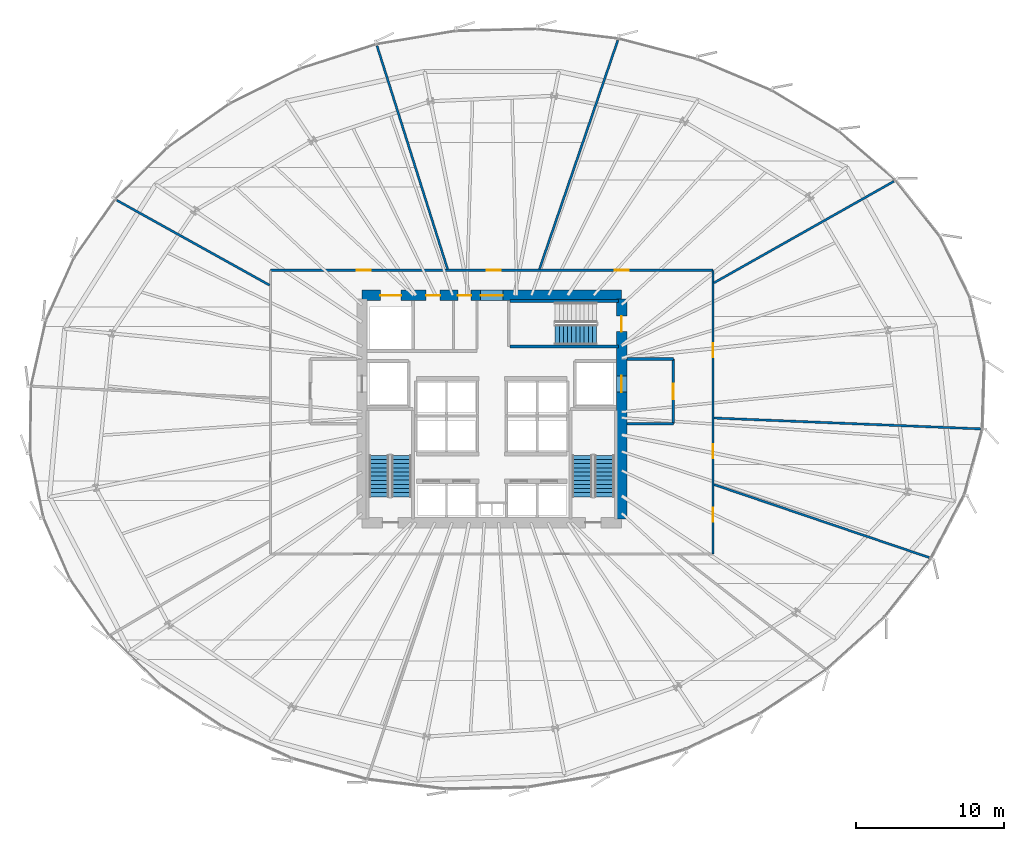
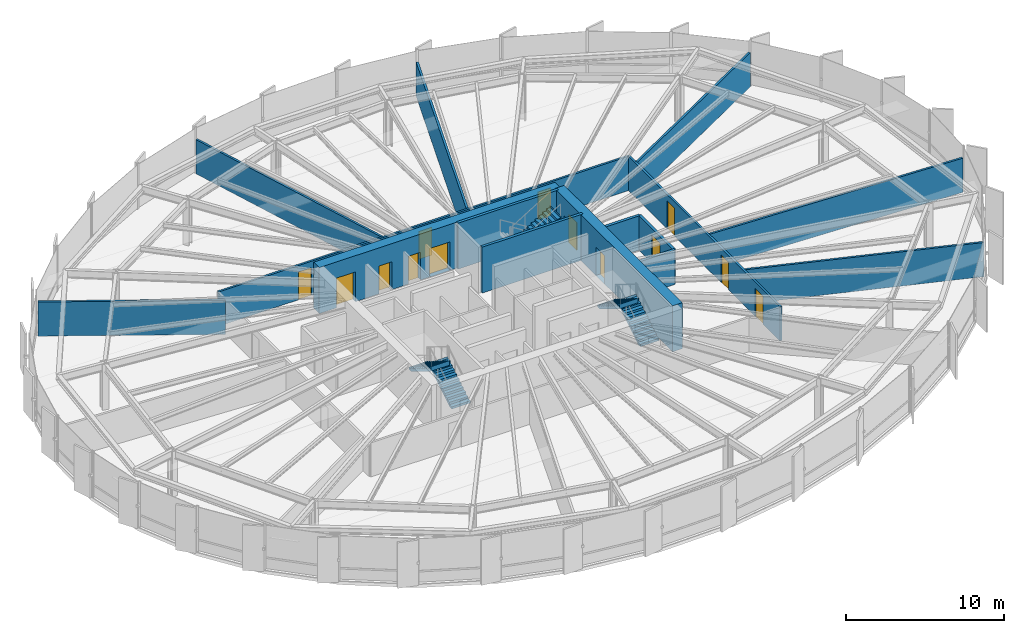
# One storey, part 32 of 38: 15 walls, 13 doors, 5 stair flights, 13 openings, 3 elements without a shape of their own.
"""IFC4 building model written with IfcOpenShell, lengths in metres."""

from ifc_helpers import new_model, si_unit, direction, frame, frame_2d, origin, place, context, subcontext, project, spatial, polyline, rectangle, outline, extrude, source, transform, mapped, material, layer, layer_set, type_object, element, fill, aggregate, save


model = new_model("IFC4")

# Units and contexts
model_context = context("Model", 3, precision=1e-05, world=origin(), true_north=direction((0.0, 1.0)))
body_context = subcontext(model_context, "Body", "Model", "MODEL_VIEW")
ifc_project = project(units=[si_unit("LENGTHUNIT", "METRE"), si_unit("AREAUNIT", "SQUARE_METRE"), si_unit("VOLUMEUNIT", "CUBIC_METRE"), si_unit("PLANEANGLEUNIT", "RADIAN"), si_unit("MASSUNIT", "GRAM", prefix="KILO"), si_unit("THERMODYNAMICTEMPERATUREUNIT", "KELVIN")], contexts=[model_context])

# Site, building, storey
site_placement = place(None, origin())
site = spatial("IfcSite", under=ifc_project, at=site_placement, CompositionType="ELEMENT")
building_placement = place(site_placement, origin())
building = spatial("IfcBuilding", under=site, at=building_placement, Name="Kethvar Cultural Tower", CompositionType="ELEMENT")
storey_placement = place(building_placement, frame((0.0, 0.0, 52.39990234375)))
storey = spatial("IfcBuildingStorey", under=building, at=storey_placement, Name="L12", CompositionType="ELEMENT", Elevation=52.39990234375)

# Wall, openings, doors
ifc_material_1 = material(Name="Concrete C60/75", Category="concrete")
ifc_layer_1 = layer(ifc_material_1, 0.699951171875, Name="Concrete C60/75", Category="concrete")
ifc_layer_set_1 = layer_set([ifc_layer_1], Name="Concrete C60/75 (700 mm)")
wall_type_1 = type_object("IfcWallType", Name="WL-CORE-700", PredefinedType="SHEAR", material=ifc_layer_set_1)
wall_1_placement = place(storey_placement, frame((55.60009765625, 35.5, 0.0), z_axis=(0.0, 0.0, 1.0), x_axis=(-1.0, 0.0, 0.0)))
wall_1 = element("IfcWall", 1, at=wall_1_placement, inside=storey, type_object=wall_type_1, Name="L12 Core Shear Wall N", PredefinedType="SHEAR", context=body_context, shape_type="SweptSolid", body=[
    extrude(rectangle(XDim=17.60009765625, YDim=0.699951171875, at=frame_2d((8.800048828125, 0.0))), origin(), (0.0, 0.0, 1.0), 3.550048828125),
])
opening_1_placement = place(wall_1_placement, frame((8.050048828125, 0.0, 0.0)))
opening_1 = element("IfcOpeningElement", 2, at=opening_1_placement, cuts=wall_1, Name="Opening D-L12-LN", PredefinedType="OPENING", context=body_context, shape_type="SweptSolid", body=[
    extrude(rectangle(XDim=1.5, YDim=2.199951171875, at=frame_2d((0.75, 1.10009765625))), frame((0.0, 0.35986328125, 0.0), z_axis=(0.0, -1.0, 0.0), x_axis=(1.0, 0.0, 0.0)), (0.0, 0.0, 1.0), 0.719970703125),
])
opening_2_placement = place(wall_1_placement, frame((14.949951171875, 0.0, 0.0)))
opening_2 = element("IfcOpeningElement", 3, at=opening_2_placement, cuts=wall_1, Name="Opening LD-G1", PredefinedType="OPENING", context=body_context, shape_type="SweptSolid", body=[
    extrude(rectangle(XDim=1.39990234375, YDim=2.300048828125, at=frame_2d((0.699951171875, 1.14990234375))), frame((0.0, 0.35986328125, 0.0), z_axis=(0.0, -1.0, 0.0), x_axis=(1.0, 0.0, 0.0)), (0.0, 0.0, 1.0), 0.719970703125),
])
opening_3_placement = place(wall_1_placement, frame((12.300048828125, 0.0, 0.0)))
opening_3 = element("IfcOpeningElement", 4, at=opening_3_placement, cuts=wall_1, Name="Opening D-L12-W1", PredefinedType="OPENING", context=body_context, shape_type="SweptSolid", body=[
    extrude(rectangle(XDim=0.949951171875, YDim=2.14990234375, at=frame_2d((0.47509765625, 1.074951171875))), frame((0.0, 0.35986328125, 0.0), z_axis=(0.0, -1.0, 0.0), x_axis=(1.0, 0.0, 0.0)), (0.0, 0.0, 1.0), 0.719970703125),
])
opening_4_placement = place(wall_1_placement, frame((10.199951171875, 0.0, 0.0)))
opening_4 = element("IfcOpeningElement", 5, at=opening_4_placement, cuts=wall_1, Name="Opening D-L12-W2", PredefinedType="OPENING", context=body_context, shape_type="SweptSolid", body=[
    extrude(rectangle(XDim=0.89990234375, YDim=2.14990234375, at=frame_2d((0.449951171875, 1.074951171875))), frame((0.0, 0.35986328125, 0.0), z_axis=(0.0, -1.0, 0.0), x_axis=(1.0, 0.0, 0.0)), (0.0, 0.0, 1.0), 0.719970703125),
])
ifc_material_2 = material(Name="Architectural Oak Timber", Category="wood")
door_type_1 = type_object("IfcDoorType", Name="DR-DBL-FD60-1500", OperationType="DOUBLE_DOOR_SINGLE_SWING", PredefinedType="DOOR", material=ifc_material_2)
shared_shape_1 = source(origin(), body_context, "Body", "SweptSolid", [
    extrude(rectangle(XDim=1.5, YDim=2.199951171875, at=frame_2d((0.75, 1.10009765625))), frame((0.0, 0.02490234375, 0.0), z_axis=(0.0, -1.0, 0.0), x_axis=(1.0, 0.0, 0.0)), (0.0, 0.0, 1.0), 0.050048828125),
])
door_1_placement = place(opening_1_placement, origin())
door_1 = element("IfcDoor", 6, at=door_1_placement, inside=storey, type_object=door_type_1, Name="L12 Lift Lobby Concourse Door", OperationType="DOUBLE_DOOR_SINGLE_SWING", OverallHeight=2.199951171875, OverallWidth=1.5, PredefinedType="DOOR", context=body_context, shape_type="MappedRepresentation", body=[
    mapped(shared_shape_1, transform((0.0, 0.0, 0.0), scale=1.0)),
])
fill(opening_1, door_1)
ifc_material_3 = material(Name="Steel S355J2", Category="steel")
door_type_2 = type_object("IfcDoorType", Name="DR-LIFT-SLIDE-1400", OperationType="NOTDEFINED", PredefinedType="DOOR", material=ifc_material_3)
shared_shape_2 = source(origin(), body_context, "Body", "SweptSolid", [
    extrude(rectangle(XDim=1.39990234375, YDim=2.300048828125, at=frame_2d((0.699951171875, 1.14990234375))), frame((0.0, 0.02490234375, 0.0), z_axis=(0.0, -1.0, 0.0), x_axis=(1.0, 0.0, 0.0)), (0.0, 0.0, 1.0), 0.050048828125),
])
door_2_placement = place(opening_2_placement, origin())
door_2 = element("IfcDoor", 7, at=door_2_placement, inside=storey, type_object=door_type_2, Name="L12 Goods Lift Landing Door", OperationType="SLIDING_TO_RIGHT", OverallHeight=2.300048828125, OverallWidth=1.39990234375, PredefinedType="DOOR", context=body_context, shape_type="MappedRepresentation", body=[
    mapped(shared_shape_2, transform((0.0, 0.0, 0.0), scale=1.0)),
])
fill(opening_2, door_2)
door_type_3 = type_object("IfcDoorType", Name="DR-FD30-950", OperationType="NOTDEFINED", PredefinedType="DOOR", material=ifc_material_2)
shared_shape_3 = source(origin(), body_context, "Body", "SweptSolid", [
    extrude(rectangle(XDim=0.949951171875, YDim=2.14990234375, at=frame_2d((0.47509765625, 1.074951171875))), frame((0.0, 0.02490234375, 0.0), z_axis=(0.0, -1.0, 0.0), x_axis=(1.0, 0.0, 0.0)), (0.0, 0.0, 1.0), 0.050048828125),
])
door_3_placement = place(opening_3_placement, origin())
door_3 = element("IfcDoor", 8, at=door_3_placement, inside=storey, type_object=door_type_3, Name="L12 Public Washroom Door", OperationType="SINGLE_SWING_LEFT", OverallHeight=2.14990234375, OverallWidth=0.949951171875, PredefinedType="DOOR", context=body_context, shape_type="MappedRepresentation", body=[
    mapped(shared_shape_3, transform((0.0, 0.0, 0.0), scale=1.0)),
])
fill(opening_3, door_3)
door_type_4 = type_object("IfcDoorType", Name="DR-FD30-900", OperationType="NOTDEFINED", PredefinedType="DOOR", material=ifc_material_2)
shared_shape_4 = source(origin(), body_context, "Body", "SweptSolid", [
    extrude(rectangle(XDim=0.89990234375, YDim=2.14990234375, at=frame_2d((0.449951171875, 1.074951171875))), frame((0.0, 0.02490234375, 0.0), z_axis=(0.0, -1.0, 0.0), x_axis=(1.0, 0.0, 0.0)), (0.0, 0.0, 1.0), 0.050048828125),
])
door_4_placement = place(opening_4_placement, origin())
door_4 = element("IfcDoor", 9, at=door_4_placement, inside=storey, type_object=door_type_4, Name="L12 Accessible Washroom Door", OperationType="SINGLE_SWING_RIGHT", OverallHeight=2.14990234375, OverallWidth=0.89990234375, PredefinedType="DOOR", context=body_context, shape_type="MappedRepresentation", body=[
    mapped(shared_shape_4, transform((0.0, 0.0, 0.0), scale=1.0)),
])
fill(opening_4, door_4)

wall_2_placement = place(storey_placement, frame((55.60009765625, 20.340087890625, 0.0), z_axis=(0.0, 0.0, 1.0), x_axis=(0.0, 1.0, 0.0)))
wall_2 = element("IfcWall", 10, at=wall_2_placement, inside=storey, type_object=wall_type_1, Name="L12 Core Shear Wall E", PredefinedType="SHEAR", context=body_context, shape_type="SweptSolid", body=[
    extrude(rectangle(XDim=14.919921875, YDim=0.699951171875, at=frame_2d((7.4599609375, 0.0))), origin(), (0.0, 0.0, 1.0), 3.550048828125),
])
opening_5_placement = place(wall_2_placement, frame((12.7099609375, 0.0, 0.0)))
opening_5 = element("IfcOpeningElement", 11, at=opening_5_placement, cuts=wall_2, Name="Opening D-L12-S3", PredefinedType="OPENING", context=body_context, shape_type="SweptSolid", body=[
    extrude(rectangle(XDim=1.050048828125, YDim=2.14990234375, at=frame_2d((0.52490234375, 1.074951171875))), frame((0.0, 0.35986328125, 0.0), z_axis=(0.0, -1.0, 0.0), x_axis=(1.0, 0.0, 0.0)), (0.0, 0.0, 1.0), 0.719970703125),
])
opening_6_placement = place(wall_2_placement, frame((8.610107421875, 0.0, 0.0)))
opening_6 = element("IfcOpeningElement", 12, at=opening_6_placement, cuts=wall_2, Name="Opening LD-2", PredefinedType="OPENING", context=body_context, shape_type="SweptSolid", body=[
    extrude(rectangle(XDim=1.10009765625, YDim=2.199951171875, at=frame_2d((0.550048828125, 1.10009765625))), frame((0.0, 0.35986328125, 0.0), z_axis=(0.0, -1.0, 0.0), x_axis=(1.0, 0.0, 0.0)), (0.0, 0.0, 1.0), 0.719970703125),
])
door_type_5 = type_object("IfcDoorType", Name="DR-FD60-1050", OperationType="NOTDEFINED", PredefinedType="DOOR", material=ifc_material_3)
shared_shape_5 = source(origin(), body_context, "Body", "SweptSolid", [
    extrude(rectangle(XDim=1.050048828125, YDim=2.14990234375, at=frame_2d((0.52490234375, 1.074951171875))), frame((0.0, 0.02490234375, 0.0), z_axis=(0.0, -1.0, 0.0), x_axis=(1.0, 0.0, 0.0)), (0.0, 0.0, 1.0), 0.050048828125),
])
door_5_placement = place(opening_5_placement, origin())
door_5 = element("IfcDoor", 13, at=door_5_placement, inside=storey, type_object=door_type_5, Name="L12 Exit Stair 3 Door", OperationType="SINGLE_SWING_LEFT", OverallHeight=2.14990234375, OverallWidth=1.050048828125, PredefinedType="DOOR", context=body_context, shape_type="MappedRepresentation", body=[
    mapped(shared_shape_5, transform((0.0, 0.0, 0.0), scale=1.0)),
])
fill(opening_5, door_5)
door_type_6 = type_object("IfcDoorType", Name="DR-LIFT-SLIDE-1100", OperationType="NOTDEFINED", PredefinedType="DOOR", material=ifc_material_3)
shared_shape_6 = source(origin(), body_context, "Body", "SweptSolid", [
    extrude(rectangle(XDim=1.10009765625, YDim=2.199951171875, at=frame_2d((0.550048828125, 1.10009765625))), frame((0.0, 0.02490234375, 0.0), z_axis=(0.0, -1.0, 0.0), x_axis=(1.0, 0.0, 0.0)), (0.0, 0.0, 1.0), 0.050048828125),
])
door_6_placement = place(opening_6_placement, origin())
door_6 = element("IfcDoor", 14, at=door_6_placement, inside=storey, type_object=door_type_6, Name="L12 Firefighting Lift Landing Door FFL-02", OperationType="SLIDING_TO_RIGHT", OverallHeight=2.199951171875, OverallWidth=1.10009765625, PredefinedType="DOOR", context=body_context, shape_type="MappedRepresentation", body=[
    mapped(shared_shape_6, transform((0.0, 0.0, 0.0), scale=1.0)),
])
fill(opening_6, door_6)

ifc_material_4 = material(Name="Gypsum Fireboard Partition")
ifc_layer_2 = layer(ifc_material_4, 0.14990234375, Name="Gypsum Fireboard Partition")
ifc_layer_set_2 = layer_set([ifc_layer_2], Name="Gypsum Fireboard Partition (150 mm)")
wall_type_2 = type_object("IfcWallType", Name="WL-FIRE-150", PredefinedType="PARTITIONING", material=ifc_layer_set_2)
wall_3_placement = place(storey_placement, frame((61.7900390625, 17.97998046875, 0.0), z_axis=(0.0, 0.0, 1.0), x_axis=(0.0, 1.0, 0.0)))
wall_3 = element("IfcWall", 15, at=wall_3_placement, inside=storey, type_object=wall_type_2, Name="L12 Corridor Rated Wall E", PredefinedType="PARTITIONING", context=body_context, shape_type="SweptSolid", body=[
    extrude(rectangle(XDim=19.219970703125, YDim=0.14990234375, at=frame_2d((9.60986328125, 0.0))), origin(), (0.0, 0.0, 1.0), 2.64501953125),
])
opening_7_placement = place(wall_3_placement, frame((2.175048828125, 0.0, 0.0)))
opening_7 = element("IfcOpeningElement", 16, at=opening_7_placement, cuts=wall_3, Name="Opening D-L12-03", PredefinedType="OPENING", context=body_context, shape_type="SweptSolid", body=[
    extrude(rectangle(XDim=0.949951171875, YDim=2.14990234375, at=frame_2d((0.47509765625, 1.074951171875))), frame((0.0, 0.0849609375, 0.0), z_axis=(0.0, -1.0, 0.0), x_axis=(1.0, 0.0, 0.0)), (0.0, 0.0, 1.0), 0.169921875),
])
opening_8_placement = place(wall_3_placement, frame((6.482421875, 0.0, 0.0)))
opening_8 = element("IfcOpeningElement", 17, at=opening_8_placement, cuts=wall_3, Name="Opening D-L12-04", PredefinedType="OPENING", context=body_context, shape_type="SweptSolid", body=[
    extrude(rectangle(XDim=0.949951171875, YDim=2.14990234375, at=frame_2d((0.47509765625, 1.074951171875))), frame((0.0, 0.0849609375, 0.0), z_axis=(0.0, -1.0, 0.0), x_axis=(1.0, 0.0, 0.0)), (0.0, 0.0, 1.0), 0.169921875),
])
opening_9_placement = place(wall_3_placement, frame((13.31689453125, 0.0, 0.0)))
opening_9 = element("IfcOpeningElement", 18, at=opening_9_placement, cuts=wall_3, Name="Opening D-L12-05", PredefinedType="OPENING", context=body_context, shape_type="SweptSolid", body=[
    extrude(rectangle(XDim=0.949951171875, YDim=2.14990234375, at=frame_2d((0.47509765625, 1.074951171875))), frame((0.0, 0.0849609375, 0.0), z_axis=(0.0, -1.0, 0.0), x_axis=(1.0, 0.0, 0.0)), (0.0, 0.0, 1.0), 0.169921875),
])
door_7_placement = place(opening_7_placement, origin())
door_7 = element("IfcDoor", 19, at=door_7_placement, inside=storey, type_object=door_type_3, Name="L12 Art Monograph Boutique 03 Door", OperationType="SINGLE_SWING_LEFT", OverallHeight=2.14990234375, OverallWidth=0.949951171875, PredefinedType="DOOR", context=body_context, shape_type="MappedRepresentation", body=[
    mapped(shared_shape_3, transform((0.0, 0.0, 0.0), scale=1.0)),
])
fill(opening_7, door_7)
door_8_placement = place(opening_8_placement, origin())
door_8 = element("IfcDoor", 20, at=door_8_placement, inside=storey, type_object=door_type_3, Name="L12 Poster Edition Shop 04 Door", OperationType="SINGLE_SWING_RIGHT", OverallHeight=2.14990234375, OverallWidth=0.949951171875, PredefinedType="DOOR", context=body_context, shape_type="MappedRepresentation", body=[
    mapped(shared_shape_3, transform((0.0, 0.0, 0.0), scale=1.0)),
])
fill(opening_8, door_8)
door_9_placement = place(opening_9_placement, origin())
door_9 = element("IfcDoor", 21, at=door_9_placement, inside=storey, type_object=door_type_3, Name="L12 Rare Folio Storage 05 Door", OperationType="SINGLE_SWING_LEFT", OverallHeight=2.14990234375, OverallWidth=0.949951171875, PredefinedType="DOOR", context=body_context, shape_type="MappedRepresentation", body=[
    mapped(shared_shape_3, transform((0.0, 0.0, 0.0), scale=1.0)),
])
fill(opening_9, door_9)

wall_4_placement = place(storey_placement, frame((61.7900390625, 37.199951171875, 0.0), z_axis=(0.0, 0.0, 1.0), x_axis=(-1.0, 0.0, 0.0)))
wall_4 = element("IfcWall", 22, at=wall_4_placement, inside=storey, type_object=wall_type_2, Name="L12 Corridor Rated Wall N", PredefinedType="PARTITIONING", context=body_context, shape_type="SweptSolid", body=[
    extrude(rectangle(XDim=29.97998046875, YDim=0.14990234375, at=frame_2d((14.989990234375, 0.0))), origin(), (0.0, 0.0, 1.0), 2.64501953125),
])
opening_10_placement = place(wall_4_placement, frame((5.707763671875, 0.0, 0.0)))
opening_10 = element("IfcOpeningElement", 23, at=opening_10_placement, cuts=wall_4, Name="Opening D-L12-06", PredefinedType="OPENING", context=body_context, shape_type="SweptSolid", body=[
    extrude(rectangle(XDim=0.949951171875, YDim=2.14990234375, at=frame_2d((0.47509765625, 1.074951171875))), frame((0.0, 0.0849609375, 0.0), z_axis=(0.0, -1.0, 0.0), x_axis=(1.0, 0.0, 0.0)), (0.0, 0.0, 1.0), 0.169921875),
])
opening_11_placement = place(wall_4_placement, frame((14.397216796875, 0.0, 0.0)))
opening_11 = element("IfcOpeningElement", 24, at=opening_11_placement, cuts=wall_4, Name="Opening D-L12-07", PredefinedType="OPENING", context=body_context, shape_type="SweptSolid", body=[
    extrude(rectangle(XDim=0.949951171875, YDim=2.14990234375, at=frame_2d((0.47509765625, 1.074951171875))), frame((0.0, 0.0849609375, 0.0), z_axis=(0.0, -1.0, 0.0), x_axis=(1.0, 0.0, 0.0)), (0.0, 0.0, 1.0), 0.169921875),
])
opening_12_placement = place(wall_4_placement, frame((23.20556640625, 0.0, 0.0)))
opening_12 = element("IfcOpeningElement", 25, at=opening_12_placement, cuts=wall_4, Name="Opening D-L12-08", PredefinedType="OPENING", context=body_context, shape_type="SweptSolid", body=[
    extrude(rectangle(XDim=0.949951171875, YDim=2.14990234375, at=frame_2d((0.47509765625, 1.074951171875))), frame((0.0, 0.0849609375, 0.0), z_axis=(0.0, -1.0, 0.0), x_axis=(1.0, 0.0, 0.0)), (0.0, 0.0, 1.0), 0.169921875),
])
door_10_placement = place(opening_10_placement, origin())
door_10 = element("IfcDoor", 26, at=door_10_placement, inside=storey, type_object=door_type_3, Name="L12 Periodicals Reading Lounge 06 Door", OperationType="SINGLE_SWING_RIGHT", OverallHeight=2.14990234375, OverallWidth=0.949951171875, PredefinedType="DOOR", context=body_context, shape_type="MappedRepresentation", body=[
    mapped(shared_shape_3, transform((0.0, 0.0, 0.0), scale=1.0)),
])
fill(opening_10, door_10)
door_11_placement = place(opening_11_placement, origin())
door_11 = element("IfcDoor", 27, at=door_11_placement, inside=storey, type_object=door_type_3, Name="L12 Concourse Visitor Foyer 07 Door", OperationType="SINGLE_SWING_LEFT", OverallHeight=2.14990234375, OverallWidth=0.949951171875, PredefinedType="DOOR", context=body_context, shape_type="MappedRepresentation", body=[
    mapped(shared_shape_3, transform((0.0, 0.0, 0.0), scale=1.0)),
])
fill(opening_11, door_11)
door_12_placement = place(opening_12_placement, origin())
door_12 = element("IfcDoor", 28, at=door_12_placement, inside=storey, type_object=door_type_3, Name="L12 Institute Tea Pantry 08 Door", OperationType="SINGLE_SWING_RIGHT", OverallHeight=2.14990234375, OverallWidth=0.949951171875, PredefinedType="DOOR", context=body_context, shape_type="MappedRepresentation", body=[
    mapped(shared_shape_3, transform((0.0, 0.0, 0.0), scale=1.0)),
])
fill(opening_12, door_12)

# Wall, opening, door
ifc_material_5 = material(Name="Concrete C40/50", Category="concrete")
ifc_layer_3 = layer(ifc_material_5, 0.199951171875, Name="Concrete C40/50", Category="concrete")
ifc_layer_set_3 = layer_set([ifc_layer_3], Name="Concrete C40/50 (200 mm)")
wall_type_3 = type_object("IfcWallType", Name="WL-FIRE-200", PredefinedType="PARTITIONING", material=ifc_layer_set_3)
wall_5_placement = place(storey_placement, frame((59.10009765625, 26.800048828125, 0.0), z_axis=(0.0, 0.0, 1.0), x_axis=(0.0, 1.0, 0.0)))
wall_5 = element("IfcWall", 29, at=wall_5_placement, inside=storey, type_object=wall_type_3, Name="L12 Firefighting Lobby 2 Wall", PredefinedType="PARTITIONING", context=body_context, shape_type="SweptSolid", body=[
    extrude(rectangle(XDim=4.39990234375, YDim=0.199951171875, at=frame_2d((2.199951171875, 0.0))), origin(), (0.0, 0.0, 1.0), 2.64501953125),
])
opening_13_placement = place(wall_5_placement, frame((1.64990234375, 0.0, 0.0)))
opening_13 = element("IfcOpeningElement", 30, at=opening_13_placement, cuts=wall_5, Name="Opening D-L12-F2", PredefinedType="OPENING", context=body_context, shape_type="SweptSolid", body=[
    extrude(rectangle(XDim=1.050048828125, YDim=2.14990234375, at=frame_2d((0.52490234375, 1.074951171875))), frame((0.0, 0.10986328125, 0.0), z_axis=(0.0, -1.0, 0.0), x_axis=(1.0, 0.0, 0.0)), (0.0, 0.0, 1.0), 0.219970703125),
])
door_13_placement = place(opening_13_placement, origin())
door_13 = element("IfcDoor", 31, at=door_13_placement, inside=storey, type_object=door_type_5, Name="L12 Firefighting Lobby 2 Fire Door", OperationType="SINGLE_SWING_LEFT", OverallHeight=2.14990234375, OverallWidth=1.050048828125, PredefinedType="DOOR", context=body_context, shape_type="MappedRepresentation", body=[
    mapped(shared_shape_5, transform((0.0, 0.0, 0.0), scale=1.0)),
])
fill(opening_13, door_13)

# Walls
for number, where, z_axis, x_axis, name in (
    (32, (55.9599609375, 26.800048828125, 0.0), (0.0, 0.0, 1.0), (1.0, 0.0, 0.0), "L12 FF Lobby 2 South Wall"),
    (33, (55.9599609375, 31.199951171875, 0.0), (0.0, 0.0, 1.0), (1.0, 0.0, 0.0), "L12 FF Lobby 2 North Wall"),
):
    element("IfcWall", number, at=place(storey_placement, frame(where, z_axis=z_axis, x_axis=x_axis)), inside=storey, type_object=wall_type_3, Name=name, PredefinedType="PARTITIONING", context=body_context, shape_type="SweptSolid", body=[
        extrude(rectangle(XDim=3.14013671875, YDim=0.199951171875, at=frame_2d((1.570068359375, 0.0))), origin(), (0.0, 0.0, 1.0), 2.64501953125),
    ])
ifc_material_6 = material(Name="Gypsum Acoustic Partition")
ifc_layer_4 = layer(ifc_material_6, 0.14990234375, Name="Gypsum Acoustic Partition")
ifc_layer_set_4 = layer_set([ifc_layer_4], Name="Gypsum Acoustic Partition (150 mm)")
wall_type_4 = type_object("IfcWallType", Name="WL-PART-150", PredefinedType="PARTITIONING", material=ifc_layer_set_4)
wall_6_placement = place(storey_placement, frame((61.86572265625, 22.674560546875, 0.0), z_axis=(0.0, 0.0, 1.0), x_axis=(0.947095534469, -0.320951785457, 0.0)))
element("IfcWall", 34, at=wall_6_placement, inside=storey, type_object=wall_type_4, Name="L12 Radial Partition Wall 04", PredefinedType="PARTITIONING", context=body_context, shape_type="SweptSolid", body=[
    extrude(rectangle(XDim=15.3984375, YDim=0.14990234375, at=frame_2d((7.69921875, 0.0))), origin(), (0.0, 0.0, 1.0), 2.64501953125),
])
wall_7_placement = place(storey_placement, frame((61.869873046875, 27.187255859375, 0.0), z_axis=(0.0, 0.0, 1.0), x_axis=(0.999170972955, -0.040710770123, 0.0)))
element("IfcWall", 35, at=wall_7_placement, inside=storey, type_object=wall_type_4, Name="L12 Radial Partition Wall 05", PredefinedType="PARTITIONING", context=body_context, shape_type="SweptSolid", body=[
    extrude(rectangle(XDim=18.062744140625, YDim=0.14990234375, at=frame_2d((9.03125, 0.0))), origin(), (0.0, 0.0, 1.0), 2.64501953125),
])
wall_8_placement = place(storey_placement, frame((61.859619140625, 36.35107421875, 0.0), z_axis=(0.0, 0.0, 1.0), x_axis=(0.870994158109, 0.491293371153, 0.0)))
element("IfcWall", 36, at=wall_8_placement, inside=storey, type_object=wall_type_4, Name="L12 Radial Partition Wall 06", PredefinedType="PARTITIONING", context=body_context, shape_type="SweptSolid", body=[
    extrude(rectangle(XDim=13.999755859375, YDim=0.14990234375, at=frame_2d((7.0, 0.0))), origin(), (0.0, 0.0, 1.0), 2.64501953125),
])
wall_9_placement = place(storey_placement, frame((50.0302734375, 37.275634765625, 0.0), z_axis=(0.0, 0.0, 1.0), x_axis=(0.324074949721, 0.946031409079, 0.0)))
element("IfcWall", 37, at=wall_9_placement, inside=storey, type_object=wall_type_4, Name="L12 Radial Partition Wall 07", PredefinedType="PARTITIONING", context=body_context, shape_type="SweptSolid", body=[
    extrude(rectangle(XDim=16.39501953125, YDim=0.14990234375, at=frame_2d((8.197509765625, 0.0))), origin(), (0.0, 0.0, 1.0), 2.64501953125),
])
wall_10_placement = place(storey_placement, frame((43.80517578125, 37.2763671875, 0.0), z_axis=(0.0, 0.0, 1.0), x_axis=(-0.301331638251, 0.953519398748, 0.0)))
element("IfcWall", 38, at=wall_10_placement, inside=storey, type_object=wall_type_4, Name="L12 Radial Partition Wall 08", PredefinedType="PARTITIONING", context=body_context, shape_type="SweptSolid", body=[
    extrude(rectangle(XDim=15.86865234375, YDim=0.14990234375, at=frame_2d((7.934326171875, 0.0))), origin(), (0.0, 0.0, 1.0), 2.64501953125),
])
wall_11_placement = place(storey_placement, frame((31.739990234375, 36.190185546875, 0.0), z_axis=(0.0, 0.0, 1.0), x_axis=(-0.87407755514, 0.48578640121, 0.0)))
element("IfcWall", 39, at=wall_11_placement, inside=storey, type_object=wall_type_4, Name="L12 Radial Partition Wall 09", PredefinedType="PARTITIONING", context=body_context, shape_type="SweptSolid", body=[
    extrude(rectangle(XDim=11.846923828125, YDim=0.14990234375, at=frame_2d((5.92333984375, 0.0))), origin(), (0.0, 0.0, 1.0), 2.64501953125),
])
ifc_material_7 = material(Name="Concrete C50/60", Category="concrete")
ifc_layer_5 = layer(ifc_material_7, 0.199951171875, Name="Concrete C50/60", Category="concrete")
ifc_layer_set_5 = layer_set([ifc_layer_5], Name="Concrete C50/60 (200 mm)")
wall_type_5 = type_object("IfcWallType", Name="WL-STSHAFT-200", PredefinedType="SHEAR", material=ifc_layer_set_5)
for number, where, z_axis, x_axis, name in (
    (40, (48.050048828125, 35.110107421875, 0.0), (0.0, 0.0, 1.0), (1.0, 0.0, 0.0), "L12 ST-03 Stair Shaft Wall LEFT"),
    (41, (55.39990234375, 32.050048828125, 0.0), (0.0, 0.0, 1.0), (-1.0, 0.0, 0.0), "L12 ST-03 Stair Shaft Wall RIGHT"),
):
    element("IfcWall", number, at=place(storey_placement, frame(where, z_axis=z_axis, x_axis=x_axis)), inside=storey, type_object=wall_type_5, Name=name, PredefinedType="SHEAR", context=body_context, shape_type="SweptSolid", body=[
        extrude(rectangle(XDim=7.349853515625, YDim=0.199951171875, at=frame_2d((3.6748046875, 0.0))), origin(), (0.0, 0.0, 1.0), 3.550048828125),
    ])

# Stair, stair flights
stair_type = type_object("IfcStairType", Name="ST-DOGLEG-135", PredefinedType="HALF_TURN_STAIR", material=ifc_material_5)
stair_1_placement = place(storey_placement, origin())
stair_1 = element("IfcStair", 42, at=stair_1_placement, inside=storey, type_object=stair_type, Name="L12 Core Exit Stair 1", PredefinedType="HALF_TURN_STAIR")
stair_flight_type = type_object("IfcStairFlightType", Name="FL-STRAIGHT-135", PredefinedType="STRAIGHT", material=ifc_material_5)
stair_flight_1_placement = place(storey_placement, frame((40.675048828125, 21.85009765625, 0.0), z_axis=(0.0, 0.0, 1.0), x_axis=(0.0, 1.0, 0.0)))
stair_flight_1 = element("IfcStairFlight", 43, at=stair_flight_1_placement, type_object=stair_flight_type, Name="ST-01 flight 1", NumberOfRisers=11, NumberOfTreads=10, PredefinedType="STRAIGHT", RiserHeight=0.172727273, TreadLength=0.28, context=body_context, shape_type="SweptSolid", body=[
    extrude(outline(polyline([(-0.0009765625, -0.0009765625), (-0.0009765625, 0.172607421875), (0.280029296875, 0.172607421875), (0.280029296875, 0.345458984375), (0.56005859375, 0.345458984375), (0.56005859375, 0.51806640625), (0.840087890625, 0.51806640625), (0.840087890625, 0.69091796875), (1.1201171875, 0.69091796875), (1.1201171875, 0.863525390625), (1.39990234375, 0.863525390625), (1.39990234375, 1.036376953125), (1.679931640625, 1.036376953125), (1.679931640625, 1.208984375), (1.9599609375, 1.208984375), (1.9599609375, 1.3818359375), (2.239990234375, 1.3818359375), (2.239990234375, 1.554443359375), (2.52001953125, 1.554443359375), (2.52001953125, 1.727294921875), (2.800048828125, 1.727294921875), (2.800048828125, 1.89990234375), (2.801025390625, 1.89990234375), (2.801025390625, 1.551025390625), (0.285400390625, 0.0), (0.0, -0.0009765625), (-0.0009765625, -0.0009765625)])), frame((0.0, 0.675048828125, 0.0), z_axis=(0.0, -1.0, 0.0), x_axis=(1.0, 0.0, 0.0)), (0.0, 0.0, 1.0), 1.35009765625),
])
stair_flight_2_placement = place(storey_placement, frame((39.1650390625, 24.64990234375, 1.900146484375), z_axis=(0.0, 0.0, 1.0), x_axis=(0.0, -1.0, 0.0)))
stair_flight_2 = element("IfcStairFlight", 44, at=stair_flight_2_placement, type_object=stair_flight_type, Name="ST-01 flight 2", NumberOfRisers=11, NumberOfTreads=10, PredefinedType="STRAIGHT", RiserHeight=0.172727273, TreadLength=0.28, context=body_context, shape_type="SweptSolid", body=[
    extrude(outline(polyline([(-0.0009765625, -0.0009765625), (-0.0009765625, 0.172607421875), (0.280029296875, 0.172607421875), (0.280029296875, 0.345458984375), (0.56005859375, 0.345458984375), (0.56005859375, 0.51806640625), (0.840087890625, 0.51806640625), (0.840087890625, 0.69091796875), (1.1201171875, 0.69091796875), (1.1201171875, 0.863525390625), (1.39990234375, 0.863525390625), (1.39990234375, 1.036376953125), (1.679931640625, 1.036376953125), (1.679931640625, 1.208984375), (1.9599609375, 1.208984375), (1.9599609375, 1.3818359375), (2.239990234375, 1.3818359375), (2.239990234375, 1.554443359375), (2.52001953125, 1.554443359375), (2.52001953125, 1.727294921875), (2.800048828125, 1.727294921875), (2.800048828125, 1.89990234375), (2.801025390625, 1.89990234375), (2.801025390625, 1.551025390625), (0.285400390625, 0.0), (0.0, -0.0009765625), (-0.0009765625, -0.0009765625)])), frame((0.0, 0.675048828125, 0.0), z_axis=(0.0, -1.0, 0.0), x_axis=(1.0, 0.0, 0.0)), (0.0, 0.0, 1.0), 1.35009765625),
])
aggregate(stair_1, [stair_flight_1, stair_flight_2])

stair_2_placement = place(storey_placement, origin())
stair_2 = element("IfcStair", 45, at=stair_2_placement, inside=storey, type_object=stair_type, Name="L12 Core Exit Stair 2", PredefinedType="HALF_TURN_STAIR")
stair_flight_3_placement = place(storey_placement, frame((54.43505859375, 21.85009765625, 0.0), z_axis=(0.0, 0.0, 1.0), x_axis=(0.0, 1.0, 0.0)))
stair_flight_3 = element("IfcStairFlight", 46, at=stair_flight_3_placement, type_object=stair_flight_type, Name="ST-02 flight 1", NumberOfRisers=11, NumberOfTreads=10, PredefinedType="STRAIGHT", RiserHeight=0.172727273, TreadLength=0.28, context=body_context, shape_type="SweptSolid", body=[
    extrude(outline(polyline([(-0.0009765625, -0.0009765625), (-0.0009765625, 0.172607421875), (0.280029296875, 0.172607421875), (0.280029296875, 0.345458984375), (0.56005859375, 0.345458984375), (0.56005859375, 0.51806640625), (0.840087890625, 0.51806640625), (0.840087890625, 0.69091796875), (1.1201171875, 0.69091796875), (1.1201171875, 0.863525390625), (1.39990234375, 0.863525390625), (1.39990234375, 1.036376953125), (1.679931640625, 1.036376953125), (1.679931640625, 1.208984375), (1.9599609375, 1.208984375), (1.9599609375, 1.3818359375), (2.239990234375, 1.3818359375), (2.239990234375, 1.554443359375), (2.52001953125, 1.554443359375), (2.52001953125, 1.727294921875), (2.800048828125, 1.727294921875), (2.800048828125, 1.89990234375), (2.801025390625, 1.89990234375), (2.801025390625, 1.551025390625), (0.285400390625, 0.0), (0.0, -0.0009765625), (-0.0009765625, -0.0009765625)])), frame((0.0, 0.675048828125, 0.0), z_axis=(0.0, -1.0, 0.0), x_axis=(1.0, 0.0, 0.0)), (0.0, 0.0, 1.0), 1.35009765625),
])
stair_flight_4_placement = place(storey_placement, frame((52.925048828125, 24.64990234375, 1.900146484375), z_axis=(0.0, 0.0, 1.0), x_axis=(0.0, -1.0, 0.0)))
stair_flight_4 = element("IfcStairFlight", 47, at=stair_flight_4_placement, type_object=stair_flight_type, Name="ST-02 flight 2", NumberOfRisers=11, NumberOfTreads=10, PredefinedType="STRAIGHT", RiserHeight=0.172727273, TreadLength=0.28, context=body_context, shape_type="SweptSolid", body=[
    extrude(outline(polyline([(-0.0009765625, -0.0009765625), (-0.0009765625, 0.172607421875), (0.280029296875, 0.172607421875), (0.280029296875, 0.345458984375), (0.56005859375, 0.345458984375), (0.56005859375, 0.51806640625), (0.840087890625, 0.51806640625), (0.840087890625, 0.69091796875), (1.1201171875, 0.69091796875), (1.1201171875, 0.863525390625), (1.39990234375, 0.863525390625), (1.39990234375, 1.036376953125), (1.679931640625, 1.036376953125), (1.679931640625, 1.208984375), (1.9599609375, 1.208984375), (1.9599609375, 1.3818359375), (2.239990234375, 1.3818359375), (2.239990234375, 1.554443359375), (2.52001953125, 1.554443359375), (2.52001953125, 1.727294921875), (2.800048828125, 1.727294921875), (2.800048828125, 1.89990234375), (2.801025390625, 1.89990234375), (2.801025390625, 1.551025390625), (0.285400390625, 0.0), (0.0, -0.0009765625), (-0.0009765625, -0.0009765625)])), frame((0.0, 0.675048828125, 0.0), z_axis=(0.0, -1.0, 0.0), x_axis=(1.0, 0.0, 0.0)), (0.0, 0.0, 1.0), 1.35009765625),
])
aggregate(stair_2, [stair_flight_3, stair_flight_4])

# Stair, stair flight
stair_3_placement = place(storey_placement, origin())
stair_3 = element("IfcStair", 48, at=stair_3_placement, inside=storey, type_object=stair_type, Name="L12 Core Exit Stair 3", PredefinedType="HALF_TURN_STAIR")
stair_flight_5_placement = place(storey_placement, frame((51.10009765625, 32.824951171875, 1.900146484375), z_axis=(0.0, 0.0, 1.0), x_axis=(1.0, 0.0, 0.0)))
stair_flight_5 = element("IfcStairFlight", 49, at=stair_flight_5_placement, type_object=stair_flight_type, Name="ST-03 flight 2", NumberOfRisers=11, NumberOfTreads=10, PredefinedType="STRAIGHT", RiserHeight=0.172727273, TreadLength=0.28, context=body_context, shape_type="SweptSolid", body=[
    extrude(outline(polyline([(-0.0009765625, -0.0009765625), (-0.0009765625, 0.172607421875), (0.280029296875, 0.172607421875), (0.280029296875, 0.345458984375), (0.56005859375, 0.345458984375), (0.56005859375, 0.51806640625), (0.840087890625, 0.51806640625), (0.840087890625, 0.69091796875), (1.1201171875, 0.69091796875), (1.1201171875, 0.863525390625), (1.39990234375, 0.863525390625), (1.39990234375, 1.036376953125), (1.679931640625, 1.036376953125), (1.679931640625, 1.208984375), (1.9599609375, 1.208984375), (1.9599609375, 1.3818359375), (2.239990234375, 1.3818359375), (2.239990234375, 1.554443359375), (2.52001953125, 1.554443359375), (2.52001953125, 1.727294921875), (2.800048828125, 1.727294921875), (2.800048828125, 1.89990234375), (2.801025390625, 1.89990234375), (2.801025390625, 1.551025390625), (0.285400390625, 0.0), (0.0, -0.0009765625), (-0.0009765625, -0.0009765625)])), frame((0.0, 0.675048828125, 0.0), z_axis=(0.0, -1.0, 0.0), x_axis=(1.0, 0.0, 0.0)), (0.0, 0.0, 1.0), 1.35009765625),
])
aggregate(stair_3, [stair_flight_5])

save(model, "model.ifc")
